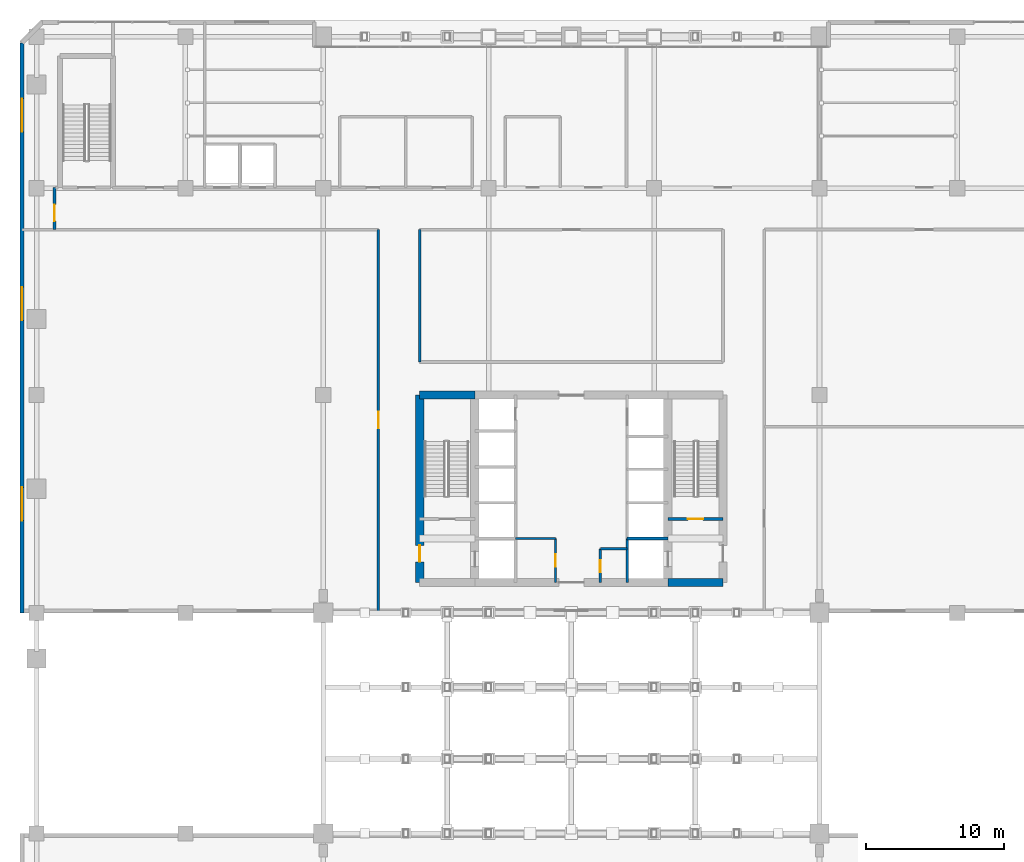
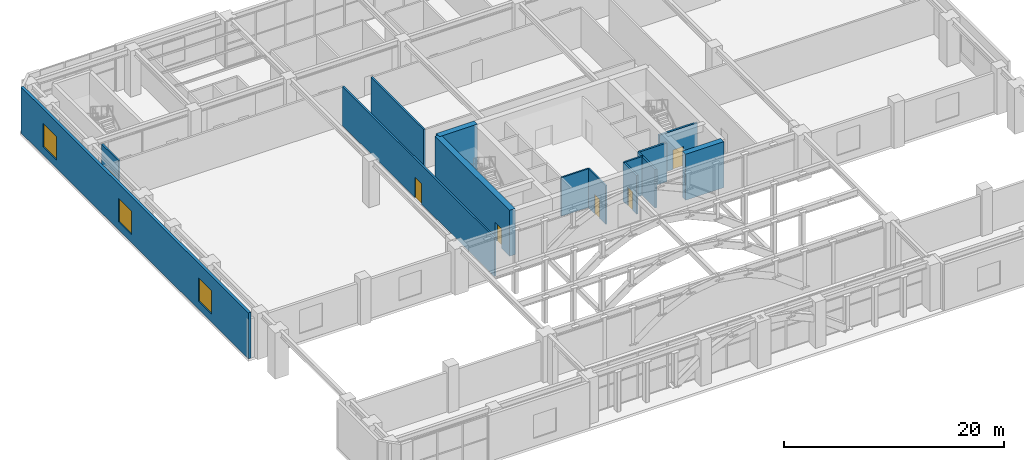
# One storey, part 26 of 32: 14 walls, 6 doors, 3 windows, 9 openings.
"""IFC4 building model written with IfcOpenShell, lengths in metres."""

from ifc_helpers import new_model, si_unit, direction, frame, frame_2d, origin, place, context, subcontext, project, spatial, rectangle, extrude, material, layer, layer_set, type_object, element, fill, save


model = new_model("IFC4")

# Units and contexts
model_context = context("Model", 3, precision=1e-05, world=origin(), true_north=direction((0.0, 1.0)))
body_context = subcontext(model_context, "Body", "Model", "MODEL_VIEW")
ifc_project = project(units=[si_unit("LENGTHUNIT", "METRE"), si_unit("AREAUNIT", "SQUARE_METRE"), si_unit("VOLUMEUNIT", "CUBIC_METRE"), si_unit("PLANEANGLEUNIT", "RADIAN"), si_unit("MASSUNIT", "GRAM", prefix="KILO")], contexts=[model_context])

# Site, building, storey
site_placement = place(None, origin())
site = spatial("IfcSite", under=ifc_project, at=site_placement, CompositionType="ELEMENT")
building_placement = place(site_placement, origin())
building = spatial("IfcBuilding", under=site, at=building_placement, Name="Sarneth Arch Tower", CompositionType="ELEMENT")
storey_placement = place(building_placement, frame((0.0, 0.0, 11.39990234375)))
storey = spatial("IfcBuildingStorey", under=building, at=storey_placement, Name="L02", CompositionType="ELEMENT", Elevation=11.39990234375)

# Walls
ifc_material_1 = material(Name="Concrete C60/75", Category="concrete")
ifc_layer_1 = layer(ifc_material_1, 0.60009765625)
ifc_layer_set_1 = layer_set([ifc_layer_1], Name="Concrete C60/75")
wall_type_1 = type_object("IfcWallType", Name="WALL-CORE-600", PredefinedType="SHEAR", material=ifc_layer_set_1)
for number, where, z_axis, x_axis, name in (
    (1, (55.0, 35.199951171875, 0.0), (0.0, 0.0, 1.0), (1.0, 0.0, 0.0), "L02 Core shear wall S-E"),
    (2, (37.0, 48.800048828125, 0.0), (0.0, 0.0, 1.0), (1.0, 0.0, 0.0), "L02 Core shear wall N-W"),
):
    element("IfcWall", number, at=place(storey_placement, frame(where, z_axis=z_axis, x_axis=x_axis)), inside=storey, type_object=wall_type_1, Name=name, PredefinedType="SHEAR", context=body_context, shape_type="SweptSolid", body=[
        extrude(rectangle(XDim=4.0, YDim=0.60009765625, at=frame_2d((2.0, 0.0))), origin(), (0.0, 0.0, 1.0), 5.10009765625),
    ])

# Wall, opening, door
wall_1_placement = place(storey_placement, frame((37.0, 35.199951171875, 0.0), z_axis=(0.0, 0.0, 1.0), x_axis=(0.0, 1.0, 0.0)))
wall_1 = element("IfcWall", 3, at=wall_1_placement, inside=storey, type_object=wall_type_1, Name="L02 Core shear wall W", PredefinedType="SHEAR", context=body_context, shape_type="SweptSolid", body=[
    extrude(rectangle(XDim=13.60009765625, YDim=0.60009765625, at=frame_2d((6.800048828125, 0.0))), origin(), (0.0, 0.0, 1.0), 5.10009765625),
])
opening_1_placement = place(wall_1_placement, frame((1.5, 0.0, 0.0)))
opening_1 = element("IfcOpeningElement", 4, at=opening_1_placement, cuts=wall_1, Name="Opening FD-02", PredefinedType="OPENING", context=body_context, shape_type="SweptSolid", body=[
    extrude(rectangle(XDim=1.199951171875, YDim=2.14990234375, at=frame_2d((0.60009765625, 1.074951171875))), frame((0.0, 0.31005859375, 0.0), z_axis=(0.0, -1.0, 0.0), x_axis=(1.0, 0.0, 0.0)), (0.0, 0.0, 1.0), 0.6201171875),
])
ifc_material_2 = material(Name="Galvanised Steel S275 fire door set", Category="steel")
door_type_1 = type_object("IfcDoorType", Name="DR-FD90-1200", OperationType="SINGLE_SWING_LEFT", PredefinedType="DOOR", material=ifc_material_2)
door_1_placement = place(opening_1_placement, origin())
door_1 = element("IfcDoor", 5, at=door_1_placement, inside=storey, type_object=door_type_1, Name="L02 Firefighting lobby 1 exit door", OperationType="SINGLE_SWING_LEFT", OverallHeight=2.14990234375, OverallWidth=1.199951171875, PredefinedType="DOOR", context=body_context, shape_type="SweptSolid", body=[
    extrude(rectangle(XDim=1.199951171875, YDim=2.14990234375, at=frame_2d((0.60009765625, 1.074951171875))), frame((0.0, 0.02490234375, 0.0), z_axis=(0.0, -1.0, 0.0), x_axis=(1.0, 0.0, 0.0)), (0.0, 0.0, 1.0), 0.050048828125),
])
fill(opening_1, door_1)

ifc_material_3 = material(Name="Double steel-stud corridor fire wall", Category="steel")
ifc_layer_2 = layer(ifc_material_3, 0.18994140625)
ifc_layer_set_2 = layer_set([ifc_layer_2], Name="Double steel-stud corridor fire wall")
wall_type_2 = type_object("IfcWallType", Name="WALL-CORR-190", PredefinedType="PARTITIONING", material=ifc_layer_set_2)
wall_2_placement = place(storey_placement, frame((34.0, 60.800048828125, 0.0), z_axis=(0.0, 0.0, 1.0), x_axis=(0.0, -1.0, 0.0)))
wall_2 = element("IfcWall", 6, at=wall_2_placement, inside=storey, type_object=wall_type_2, Name="L02 Interior partition W-L02-TP-002", PredefinedType="PARTITIONING", context=body_context, shape_type="SweptSolid", body=[
    extrude(rectangle(XDim=27.650146484375, YDim=0.18994140625, at=frame_2d((13.8251953125, 0.0))), origin(), (0.0, 0.0, 1.0), 4.300048828125),
])
opening_2_placement = place(wall_2_placement, frame((13.22509765625, 0.0, 0.0)))
opening_2 = element("IfcOpeningElement", 7, at=opening_2_placement, cuts=wall_2, Name="Opening FD-06", PredefinedType="OPENING", context=body_context, shape_type="SweptSolid", body=[
    extrude(rectangle(XDim=1.199951171875, YDim=2.25, at=frame_2d((0.60009765625, 1.125))), frame((0.0, 0.10498046875, 0.0), z_axis=(0.0, -1.0, 0.0), x_axis=(1.0, 0.0, 0.0)), (0.0, 0.0, 1.0), 0.2099609375),
])
ifc_material_4 = material(Name="Hardwood timber acoustic fire door", Category="wood")
door_type_2 = type_object("IfcDoorType", Name="DR-FD60-1200", OperationType="SINGLE_SWING_LEFT", PredefinedType="DOOR", material=ifc_material_4)
door_2_placement = place(opening_2_placement, origin())
door_2 = element("IfcDoor", 8, at=door_2_placement, inside=storey, type_object=door_type_2, Name="L02 Interior door DR-L02-RET1", OperationType="SINGLE_SWING_LEFT", OverallHeight=2.25, OverallWidth=1.199951171875, PredefinedType="DOOR", context=body_context, shape_type="SweptSolid", body=[
    extrude(rectangle(XDim=1.199951171875, YDim=2.25, at=frame_2d((0.60009765625, 1.125))), frame((0.0, 0.02490234375, 0.0), z_axis=(0.0, -1.0, 0.0), x_axis=(1.0, 0.0, 0.0)), (0.0, 0.0, 1.0), 0.050048828125),
])
fill(opening_2, door_2)

# Wall
wall_3_placement = place(storey_placement, frame((37.0, 60.800048828125, 0.0), z_axis=(0.0, 0.0, 1.0), x_axis=(0.0, -1.0, 0.0)))
element("IfcWall", 9, at=wall_3_placement, inside=storey, type_object=wall_type_2, Name="L02 Interior partition W-L02-TP-005", PredefinedType="PARTITIONING", context=body_context, shape_type="SweptSolid", body=[
    extrude(rectangle(XDim=9.60009765625, YDim=0.18994140625, at=frame_2d((4.800048828125, 0.0))), origin(), (0.0, 0.0, 1.0), 4.300048828125),
])

# Wall, opening, door
wall_4_placement = place(storey_placement, frame((10.5, 60.800048828125, 0.0), z_axis=(0.0, 0.0, 1.0), x_axis=(0.0, 1.0, 0.0)))
wall_4 = element("IfcWall", 10, at=wall_4_placement, inside=storey, type_object=wall_type_2, Name="L02 Interior partition W-L02-TP-019", PredefinedType="PARTITIONING", context=body_context, shape_type="SweptSolid", body=[
    extrude(rectangle(XDim=3.050048828125, YDim=0.18994140625, at=frame_2d((1.52490234375, 0.0))), origin(), (0.0, 0.0, 1.0), 4.300048828125),
])
opening_3_placement = place(wall_4_placement, frame((0.625, 0.0, 0.0)))
opening_3 = element("IfcOpeningElement", 11, at=opening_3_placement, cuts=wall_4, Name="Opening FD-06", PredefinedType="OPENING", context=body_context, shape_type="SweptSolid", body=[
    extrude(rectangle(XDim=1.199951171875, YDim=2.25, at=frame_2d((0.60009765625, 1.125))), frame((0.0, 0.10498046875, 0.0), z_axis=(0.0, -1.0, 0.0), x_axis=(1.0, 0.0, 0.0)), (0.0, 0.0, 1.0), 0.2099609375),
])
door_3_placement = place(opening_3_placement, origin())
door_3 = element("IfcDoor", 12, at=door_3_placement, inside=storey, type_object=door_type_2, Name="L02 Interior door DR-L02-CLSW", OperationType="SINGLE_SWING_LEFT", OverallHeight=2.25, OverallWidth=1.199951171875, PredefinedType="DOOR", context=body_context, shape_type="SweptSolid", body=[
    extrude(rectangle(XDim=1.199951171875, YDim=2.25, at=frame_2d((0.60009765625, 1.125))), frame((0.0, 0.02490234375, 0.0), z_axis=(0.0, -1.0, 0.0), x_axis=(1.0, 0.0, 0.0)), (0.0, 0.0, 1.0), 0.050048828125),
])
fill(opening_3, door_3)

# Wall, openings, windows
ifc_material_5 = material(Name="Extruded terracotta rainscreen on Concrete C40/50 backing", Category="masonry")
ifc_layer_3 = layer(ifc_material_5, 0.280029296875)
ifc_layer_set_3 = layer_set([ifc_layer_3], Name="Extruded terracotta rainscreen on Concrete C40/50 backing")
wall_type_3 = type_object("IfcWallType", Name="WALL-EXT-TERRA-280", PredefinedType="SOLIDWALL", material=ifc_layer_set_3)
wall_5_placement = place(storey_placement, frame((8.14990234375, 33.0, 0.0), z_axis=(0.0, 0.0, 1.0), x_axis=(0.0, 1.0, 0.0)))
wall_5 = element("IfcWall", 13, at=wall_5_placement, inside=storey, type_object=wall_type_3, Name="L02 West podium north wall", PredefinedType="SOLIDWALL", context=body_context, shape_type="SweptSolid", body=[
    extrude(rectangle(XDim=41.35009765625, YDim=0.280029296875, at=frame_2d((20.675048828125, 0.0))), origin(), (0.0, 0.0, 1.0), 5.10009765625),
])
opening_4_placement = place(wall_5_placement, frame((6.699951171875, 0.0, 0.89990234375)))
opening_4 = element("IfcOpeningElement", 14, at=opening_4_placement, cuts=wall_5, Name="Opening W-02", PredefinedType="OPENING", context=body_context, shape_type="SweptSolid", body=[
    extrude(rectangle(XDim=2.39990234375, YDim=2.60009765625, at=frame_2d((1.199951171875, 1.300048828125))), frame((0.0, 0.14990234375, 0.0), z_axis=(0.0, -1.0, 0.0), x_axis=(1.0, 0.0, 0.0)), (0.0, 0.0, 1.0), 0.300048828125),
])
opening_5_placement = place(wall_5_placement, frame((21.22509765625, 0.0, 0.89990234375)))
opening_5 = element("IfcOpeningElement", 15, at=opening_5_placement, cuts=wall_5, Name="Opening W-02", PredefinedType="OPENING", context=body_context, shape_type="SweptSolid", body=[
    extrude(rectangle(XDim=2.39990234375, YDim=2.60009765625, at=frame_2d((1.199951171875, 1.300048828125))), frame((0.0, 0.14990234375, 0.0), z_axis=(0.0, -1.0, 0.0), x_axis=(1.0, 0.0, 0.0)), (0.0, 0.0, 1.0), 0.300048828125),
])
opening_6_placement = place(wall_5_placement, frame((34.89990234375, 0.0, 0.89990234375)))
opening_6 = element("IfcOpeningElement", 16, at=opening_6_placement, cuts=wall_5, Name="Opening W-02", PredefinedType="OPENING", context=body_context, shape_type="SweptSolid", body=[
    extrude(rectangle(XDim=2.39990234375, YDim=2.60009765625, at=frame_2d((1.199951171875, 1.300048828125))), frame((0.0, 0.14990234375, 0.0), z_axis=(0.0, -1.0, 0.0), x_axis=(1.0, 0.0, 0.0)), (0.0, 0.0, 1.0), 0.300048828125),
])
ifc_material_6 = material(Name="Thermally broken Aluminium 6063-T6 and low-e laminated IGU", Category="aluminium")
window_type = type_object("IfcWindowType", Name="WIN-POD-2400x2600", PartitioningType="DOUBLE_PANEL_VERTICAL", PredefinedType="WINDOW", material=ifc_material_6)
window_1_placement = place(opening_4_placement, origin())
window_1 = element("IfcWindow", 17, at=window_1_placement, inside=storey, type_object=window_type, Name="L02 West window 1", OverallHeight=2.60009765625, OverallWidth=2.39990234375, PartitioningType="SINGLE_PANEL", PredefinedType="WINDOW", context=body_context, shape_type="SweptSolid", body=[
    extrude(rectangle(XDim=2.39990234375, YDim=2.60009765625, at=frame_2d((1.199951171875, 1.300048828125))), frame((0.0, 0.030029296875, 0.0), z_axis=(0.0, -1.0, 0.0), x_axis=(1.0, 0.0, 0.0)), (0.0, 0.0, 1.0), 0.06005859375),
])
fill(opening_4, window_1)
window_2_placement = place(opening_5_placement, origin())
window_2 = element("IfcWindow", 18, at=window_2_placement, inside=storey, type_object=window_type, Name="L02 West window 2", OverallHeight=2.60009765625, OverallWidth=2.39990234375, PartitioningType="SINGLE_PANEL", PredefinedType="WINDOW", context=body_context, shape_type="SweptSolid", body=[
    extrude(rectangle(XDim=2.39990234375, YDim=2.60009765625, at=frame_2d((1.199951171875, 1.300048828125))), frame((0.0, 0.030029296875, 0.0), z_axis=(0.0, -1.0, 0.0), x_axis=(1.0, 0.0, 0.0)), (0.0, 0.0, 1.0), 0.06005859375),
])
fill(opening_5, window_2)
window_3_placement = place(opening_6_placement, origin())
window_3 = element("IfcWindow", 19, at=window_3_placement, inside=storey, type_object=window_type, Name="L02 West window 3", OverallHeight=2.60009765625, OverallWidth=2.39990234375, PartitioningType="SINGLE_PANEL", PredefinedType="WINDOW", context=body_context, shape_type="SweptSolid", body=[
    extrude(rectangle(XDim=2.39990234375, YDim=2.60009765625, at=frame_2d((1.199951171875, 1.300048828125))), frame((0.0, 0.030029296875, 0.0), z_axis=(0.0, -1.0, 0.0), x_axis=(1.0, 0.0, 0.0)), (0.0, 0.0, 1.0), 0.06005859375),
])
fill(opening_6, window_3)

# Wall
ifc_material_7 = material(Name="Acoustic gypsum stud partition", Category="gypsum")
ifc_layer_4 = layer(ifc_material_7, 0.14990234375)
ifc_layer_set_4 = layer_set([ifc_layer_4], Name="Acoustic gypsum stud partition")
wall_type_4 = type_object("IfcWallType", Name="WALL-PART-150", PredefinedType="PARTITIONING", material=ifc_layer_set_4)
wall_6_placement = place(storey_placement, frame((43.949951171875, 38.39990234375, 0.0), z_axis=(0.0, 0.0, 1.0), x_axis=(1.0, 0.0, 0.0)))
element("IfcWall", 20, at=wall_6_placement, inside=storey, type_object=wall_type_4, Name="L02 Interior partition W-L02-CSUP1-N", PredefinedType="PARTITIONING", context=body_context, shape_type="SweptSolid", body=[
    extrude(rectangle(XDim=2.900146484375, YDim=0.14990234375, at=frame_2d((1.4501953125, 0.0))), origin(), (0.0, 0.0, 1.0), 4.300048828125),
])

# Wall, opening, door
wall_7_placement = place(storey_placement, frame((46.85009765625, 35.199951171875, 0.0), z_axis=(0.0, 0.0, 1.0), x_axis=(0.0, 1.0, 0.0)))
wall_7 = element("IfcWall", 21, at=wall_7_placement, inside=storey, type_object=wall_type_4, Name="L02 Interior partition W-L02-CSUP1-E", PredefinedType="PARTITIONING", context=body_context, shape_type="SweptSolid", body=[
    extrude(rectangle(XDim=3.199951171875, YDim=0.14990234375, at=frame_2d((1.60009765625, 0.0))), origin(), (0.0, 0.0, 1.0), 4.300048828125),
])
opening_7_placement = place(wall_7_placement, frame((1.14990234375, 0.0, 0.0)))
opening_7 = element("IfcOpeningElement", 22, at=opening_7_placement, cuts=wall_7, Name="Opening FD-10", PredefinedType="OPENING", context=body_context, shape_type="SweptSolid", body=[
    extrude(rectangle(XDim=0.89990234375, YDim=2.14990234375, at=frame_2d((0.449951171875, 1.074951171875))), frame((0.0, 0.0849609375, 0.0), z_axis=(0.0, -1.0, 0.0), x_axis=(1.0, 0.0, 0.0)), (0.0, 0.0, 1.0), 0.169921875),
])
ifc_material_8 = material(Name="Galvanised Steel S275 riser/service fire door", Category="steel")
door_type_3 = type_object("IfcDoorType", Name="DR-FD60-900", OperationType="SINGLE_SWING_LEFT", PredefinedType="DOOR", material=ifc_material_8)
door_4_placement = place(opening_7_placement, origin())
door_4 = element("IfcDoor", 23, at=door_4_placement, inside=storey, type_object=door_type_3, Name="L02 Interior door DR-L02-CSUP1", OperationType="SINGLE_SWING_LEFT", OverallHeight=2.14990234375, OverallWidth=0.89990234375, PredefinedType="DOOR", context=body_context, shape_type="SweptSolid", body=[
    extrude(rectangle(XDim=0.89990234375, YDim=2.14990234375, at=frame_2d((0.449951171875, 1.074951171875))), frame((0.0, 0.02490234375, 0.0), z_axis=(0.0, -1.0, 0.0), x_axis=(1.0, 0.0, 0.0)), (0.0, 0.0, 1.0), 0.050048828125),
])
fill(opening_7, door_4)

# Wall
ifc_material_9 = material(Name="Moisture-resistant plumbing chase wall", Category="gypsum")
ifc_layer_5 = layer(ifc_material_9, 0.179931640625)
ifc_layer_set_5 = layer_set([ifc_layer_5], Name="Moisture-resistant plumbing chase wall")
wall_type_5 = type_object("IfcWallType", Name="WALL-PLUMB-180", PredefinedType="PLUMBINGWALL", material=ifc_layer_set_5)
wall_8_placement = place(storey_placement, frame((50.10009765625, 37.64990234375, 0.0), z_axis=(0.0, 0.0, 1.0), x_axis=(1.0, 0.0, 0.0)))
element("IfcWall", 24, at=wall_8_placement, inside=storey, type_object=wall_type_5, Name="L02 Interior partition W-L02-AWC-N", PredefinedType="PLUMBINGWALL", context=body_context, shape_type="SweptSolid", body=[
    extrude(rectangle(XDim=1.949951171875, YDim=0.179931640625, at=frame_2d((0.97509765625, 0.0))), origin(), (0.0, 0.0, 1.0), 4.300048828125),
])

# Wall, opening, door
wall_9_placement = place(storey_placement, frame((50.10009765625, 35.199951171875, 0.0), z_axis=(0.0, 0.0, 1.0), x_axis=(0.0, 1.0, 0.0)))
wall_9 = element("IfcWall", 25, at=wall_9_placement, inside=storey, type_object=wall_type_5, Name="L02 Interior partition W-L02-AWC-W", PredefinedType="PLUMBINGWALL", context=body_context, shape_type="SweptSolid", body=[
    extrude(rectangle(XDim=2.449951171875, YDim=0.179931640625, at=frame_2d((1.22509765625, 0.0))), origin(), (0.0, 0.0, 1.0), 4.300048828125),
])
opening_8_placement = place(wall_9_placement, frame((0.75, 0.0, 0.0)))
opening_8 = element("IfcOpeningElement", 26, at=opening_8_placement, cuts=wall_9, Name="Opening ID-02", PredefinedType="OPENING", context=body_context, shape_type="SweptSolid", body=[
    extrude(rectangle(XDim=0.85009765625, YDim=2.10009765625, at=frame_2d((0.425048828125, 1.050048828125))), frame((0.0, 0.099853515625, 0.0), z_axis=(0.0, -1.0, 0.0), x_axis=(1.0, 0.0, 0.0)), (0.0, 0.0, 1.0), 0.199951171875),
])
ifc_material_10 = material(Name="Moisture-resistant bathroom timber door", Category="wood")
door_type_4 = type_object("IfcDoorType", Name="DR-INT-850", OperationType="SINGLE_SWING_RIGHT", PredefinedType="DOOR", material=ifc_material_10)
door_5_placement = place(opening_8_placement, origin())
door_5 = element("IfcDoor", 27, at=door_5_placement, inside=storey, type_object=door_type_4, Name="L02 Interior door DR-L02-AWC", OperationType="SINGLE_SWING_RIGHT", OverallHeight=2.10009765625, OverallWidth=0.85009765625, PredefinedType="DOOR", context=body_context, shape_type="SweptSolid", body=[
    extrude(rectangle(XDim=0.85009765625, YDim=2.10009765625, at=frame_2d((0.425048828125, 1.050048828125))), frame((0.0, 0.02490234375, 0.0), z_axis=(0.0, -1.0, 0.0), x_axis=(1.0, 0.0, 0.0)), (0.0, 0.0, 1.0), 0.050048828125),
])
fill(opening_8, door_5)

ifc_material_11 = material(Name="Aerated concrete blockwork C25/30", Category="masonry")
ifc_layer_6 = layer(ifc_material_11, 0.199951171875)
ifc_layer_set_6 = layer_set([ifc_layer_6], Name="Aerated concrete blockwork C25/30")
wall_type_6 = type_object("IfcWallType", Name="WALL-SHAFT-200", PredefinedType="SOLIDWALL", material=ifc_layer_set_6)
wall_10_placement = place(storey_placement, frame((55.0, 39.800048828125, 0.0), z_axis=(0.0, 0.0, 1.0), x_axis=(1.0, 0.0, 0.0)))
wall_10 = element("IfcWall", 28, at=wall_10_placement, inside=storey, type_object=wall_type_6, Name="L02 Interior partition W-L02-ST2-S", PredefinedType="SOLIDWALL", context=body_context, shape_type="SweptSolid", body=[
    extrude(rectangle(XDim=4.0, YDim=0.199951171875, at=frame_2d((2.0, 0.0))), origin(), (0.0, 0.0, 1.0), 4.300048828125),
])
opening_9_placement = place(wall_10_placement, frame((1.449951171875, 0.0, 0.0)))
opening_9 = element("IfcOpeningElement", 29, at=opening_9_placement, cuts=wall_10, Name="Opening FD-03", PredefinedType="OPENING", context=body_context, shape_type="SweptSolid", body=[
    extrude(rectangle(XDim=1.10009765625, YDim=2.14990234375, at=frame_2d((0.550048828125, 1.074951171875))), frame((0.0, 0.10986328125, 0.0), z_axis=(0.0, -1.0, 0.0), x_axis=(1.0, 0.0, 0.0)), (0.0, 0.0, 1.0), 0.219970703125),
])
ifc_material_12 = material(Name="Galvanised Steel S275 fire door set", Category="steel")
door_type_5 = type_object("IfcDoorType", Name="DR-FD90-1100", OperationType="SINGLE_SWING_LEFT", PredefinedType="DOOR", material=ifc_material_12)
door_6_placement = place(opening_9_placement, origin())
door_6 = element("IfcDoor", 30, at=door_6_placement, inside=storey, type_object=door_type_5, Name="L02 Interior door DR-L02-ST2", OperationType="SINGLE_SWING_RIGHT", OverallHeight=2.14990234375, OverallWidth=1.10009765625, PredefinedType="DOOR", context=body_context, shape_type="SweptSolid", body=[
    extrude(rectangle(XDim=1.10009765625, YDim=2.14990234375, at=frame_2d((0.550048828125, 1.074951171875))), frame((0.0, 0.02490234375, 0.0), z_axis=(0.0, -1.0, 0.0), x_axis=(1.0, 0.0, 0.0)), (0.0, 0.0, 1.0), 0.050048828125),
])
fill(opening_9, door_6)

# Walls
wall_11_placement = place(storey_placement, frame((52.050048828125, 35.199951171875, 0.0), z_axis=(0.0, 0.0, 1.0), x_axis=(0.0, 1.0, 0.0)))
element("IfcWall", 31, at=wall_11_placement, inside=storey, type_object=wall_type_6, Name="L02 Interior partition W-L02-FL2-W", PredefinedType="SOLIDWALL", context=body_context, shape_type="SweptSolid", body=[
    extrude(rectangle(XDim=3.199951171875, YDim=0.199951171875, at=frame_2d((1.60009765625, 0.0))), origin(), (0.0, 0.0, 1.0), 4.300048828125),
])
wall_12_placement = place(storey_placement, frame((52.050048828125, 38.39990234375, 0.0), z_axis=(0.0, 0.0, 1.0), x_axis=(1.0, 0.0, 0.0)))
element("IfcWall", 32, at=wall_12_placement, inside=storey, type_object=wall_type_6, Name="L02 Interior partition W-L02-FL2-N", PredefinedType="SOLIDWALL", context=body_context, shape_type="SweptSolid", body=[
    extrude(rectangle(XDim=2.949951171875, YDim=0.199951171875, at=frame_2d((1.47509765625, 0.0))), origin(), (0.0, 0.0, 1.0), 4.300048828125),
])

save(model, "model.ifc")
